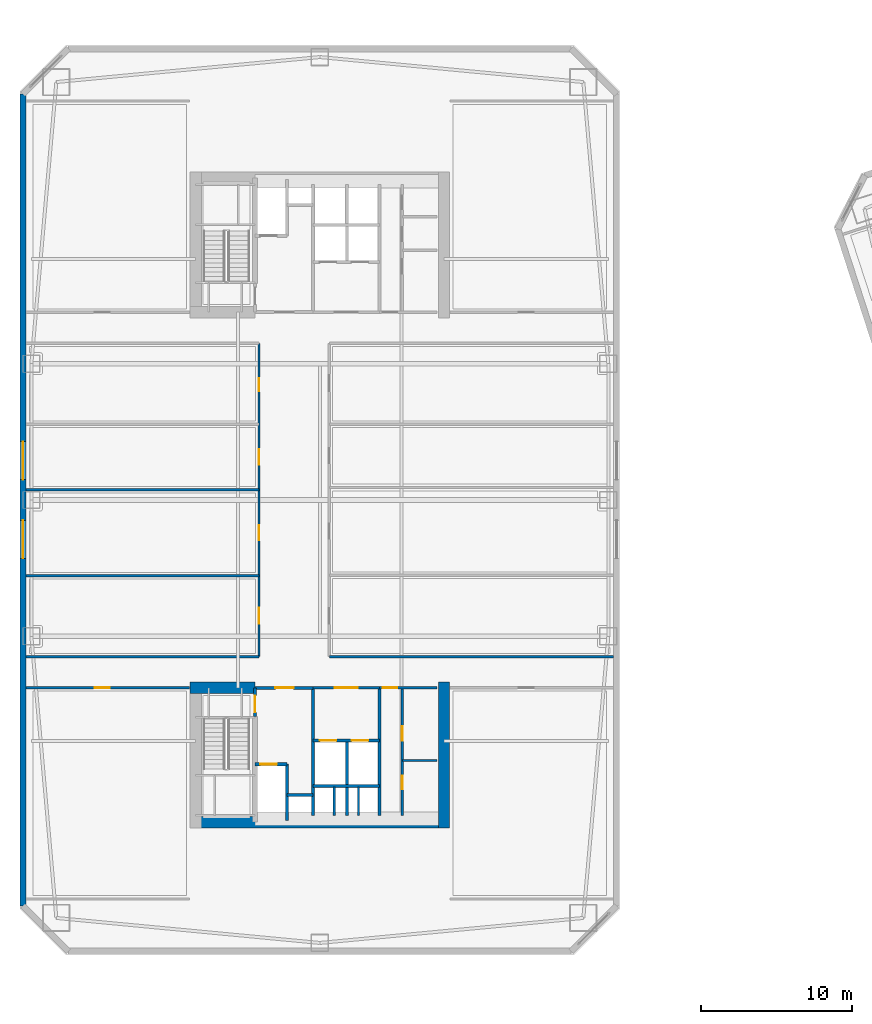
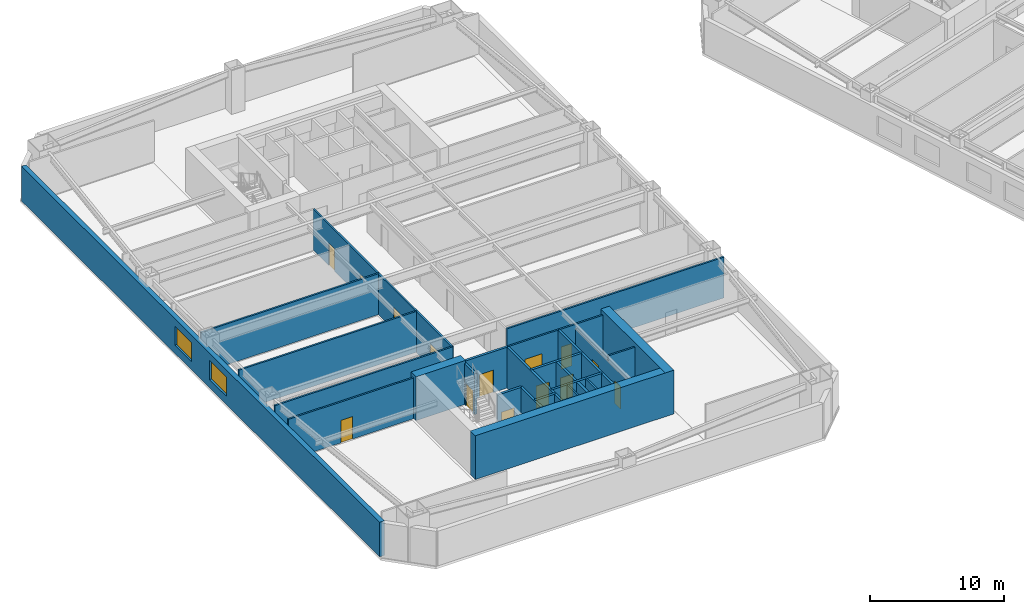
# One storey, part 10 of 24: 26 walls, 14 doors, 2 windows, 16 openings.
"""IFC4 building model written with IfcOpenShell, lengths in metres."""

from ifc_helpers import new_model, si_unit, direction, frame, frame_2d, origin, place, context, subcontext, project, spatial, rectangle, extrude, material, layer, layer_set, type_object, element, fill, save


model = new_model("IFC4")

# Units and contexts
model_context = context("Model", 3, precision=1e-05, world=origin(), true_north=direction((0.0, 1.0)))
body_context = subcontext(model_context, "Body", "Model", "MODEL_VIEW")
ifc_project = project(units=[si_unit("LENGTHUNIT", "METRE"), si_unit("AREAUNIT", "SQUARE_METRE"), si_unit("VOLUMEUNIT", "CUBIC_METRE"), si_unit("PLANEANGLEUNIT", "RADIAN"), si_unit("MASSUNIT", "GRAM", prefix="KILO")], contexts=[model_context])

# Site, building, storey
site_placement = place(None, origin())
site = spatial("IfcSite", under=ifc_project, at=site_placement, CompositionType="ELEMENT")
building_placement = place(site_placement, origin())
building = spatial("IfcBuilding", under=site, at=building_placement, Name="Qiaolan Cultural Towers", CompositionType="ELEMENT")
storey_placement = place(building_placement, frame((0.0, 0.0, 30.0)))
storey = spatial("IfcBuildingStorey", under=building, at=storey_placement, Name="L06", CompositionType="ELEMENT", Elevation=30.0)

# Walls
ifc_material_1 = material(Name="Concrete C60", Category="concrete")
ifc_layer_1 = layer(ifc_material_1, 0.75)
ifc_layer_set_1 = layer_set([ifc_layer_1], Name="Concrete C60")
wall_type_1 = type_object("IfcWallType", Name="WL-CORE-750", PredefinedType="SHEAR", material=ifc_layer_set_1)
wall_1_placement = place(storey_placement, frame((21.425048828125, 12.719970703125, 0.0), z_axis=(0.0, 0.0, 1.0), x_axis=(1.0, 0.0, 0.0)))
element("IfcWall", 1, at=wall_1_placement, inside=storey, type_object=wall_type_1, Name="L06 T1-CS Outer Core Shear Wall", PredefinedType="SHEAR", context=body_context, shape_type="SweptSolid", body=[
    extrude(rectangle(XDim=17.14990234375, YDim=0.75, at=frame_2d((8.574951171875, 0.0))), origin(), (0.0, 0.0, 1.0), 4.0),
])
wall_2_placement = place(storey_placement, frame((38.199951171875, 21.97509765625, 0.0), z_axis=(0.0, 0.0, 1.0), x_axis=(0.0, -1.0, 0.0)))
element("IfcWall", 2, at=wall_2_placement, inside=storey, type_object=wall_type_1, Name="L06 T1-CS East Core Shear Wall", PredefinedType="SHEAR", context=body_context, shape_type="SweptSolid", body=[
    extrude(rectangle(XDim=9.630126953125, YDim=0.75, at=frame_2d((4.81494140625, 0.0))), origin(), (0.0, 0.0, 1.0), 4.0),
])
wall_3_placement = place(storey_placement, frame((21.425048828125, 21.60009765625, 0.0), z_axis=(0.0, 0.0, 1.0), x_axis=(1.0, 0.0, 0.0)))
element("IfcWall", 3, at=wall_3_placement, inside=storey, type_object=wall_type_1, Name="L06 T1-CS Stair Front Shear Wall", PredefinedType="SHEAR", context=body_context, shape_type="SweptSolid", body=[
    extrude(rectangle(XDim=4.294921875, YDim=0.75, at=frame_2d((2.1474609375, 0.0))), origin(), (0.0, 0.0, 1.0), 4.0),
])

# Wall, openings, windows
ifc_material_2 = material(Name="Precast Concrete C50 Honed Stone Pier", Category="masonry")
ifc_layer_2 = layer(ifc_material_2, 0.39990234375)
ifc_layer_set_2 = layer_set([ifc_layer_2], Name="Precast Concrete C50 Honed Stone Pier")
wall_type_2 = type_object("IfcWallType", Name="WL-EXT-PIER-400", PredefinedType="SOLIDWALL", material=ifc_layer_set_2)
wall_4_placement = place(storey_placement, frame((10.39990234375, 7.199951171875, 0.0), z_axis=(0.0, 0.0, 1.0), x_axis=(0.0, 1.0, 0.0)))
wall_4 = element("IfcWall", 4, at=wall_4_placement, inside=storey, type_object=wall_type_2, Name="L06 West Tower Precast Pier Facade Wall F1", PredefinedType="SOLIDWALL", context=body_context, shape_type="SweptSolid", body=[
    extrude(rectangle(XDim=53.60009765625, YDim=0.39990234375, at=frame_2d((26.800048828125, 0.0))), origin(), (0.0, 0.0, 1.0), 3.159912109375),
])
opening_1_placement = place(wall_4_placement, frame((22.949951171875, 0.0, 0.75)))
opening_1 = element("IfcOpeningElement", 5, at=opening_1_placement, cuts=wall_4, Name="Opening W-01", PredefinedType="OPENING", context=body_context, shape_type="SweptSolid", body=[
    extrude(rectangle(XDim=2.5, YDim=1.75, at=frame_2d((1.25, 0.875))), frame((0.0, 0.2099609375, 0.0), z_axis=(0.0, -1.0, 0.0), x_axis=(1.0, 0.0, 0.0)), (0.0, 0.0, 1.0), 0.419921875),
])
opening_2_placement = place(wall_4_placement, frame((28.14990234375, 0.0, 0.75)))
opening_2 = element("IfcOpeningElement", 6, at=opening_2_placement, cuts=wall_4, Name="Opening W-01", PredefinedType="OPENING", context=body_context, shape_type="SweptSolid", body=[
    extrude(rectangle(XDim=2.5, YDim=1.75, at=frame_2d((1.25, 0.875))), frame((0.0, 0.2099609375, 0.0), z_axis=(0.0, -1.0, 0.0), x_axis=(1.0, 0.0, 0.0)), (0.0, 0.0, 1.0), 0.419921875),
])
ifc_material_3 = material(Name="Thermally Broken Aluminium Triple Low-E Glazing", Category="aluminium")
window_type = type_object("IfcWindowType", Name="WN-CHIC-2500", PartitioningType="SINGLE_PANEL", PredefinedType="WINDOW", material=ifc_material_3)
window_1_placement = place(opening_1_placement, origin())
window_1 = element("IfcWindow", 7, at=window_1_placement, inside=storey, type_object=window_type, Name="L06 T1 W Chicago Bay Window 1", OverallHeight=1.75, OverallWidth=2.5, PartitioningType="TRIPLE_PANEL_VERTICAL", PredefinedType="WINDOW", context=body_context, shape_type="SweptSolid", body=[
    extrude(rectangle(XDim=2.5, YDim=1.75, at=frame_2d((1.25, 0.875))), frame((0.0, 0.030029296875, 0.0), z_axis=(0.0, -1.0, 0.0), x_axis=(1.0, 0.0, 0.0)), (0.0, 0.0, 1.0), 0.06005859375),
])
fill(opening_1, window_1)
window_2_placement = place(opening_2_placement, origin())
window_2 = element("IfcWindow", 8, at=window_2_placement, inside=storey, type_object=window_type, Name="L06 T1 W Chicago Bay Window 2", OverallHeight=1.75, OverallWidth=2.5, PartitioningType="TRIPLE_PANEL_VERTICAL", PredefinedType="WINDOW", context=body_context, shape_type="SweptSolid", body=[
    extrude(rectangle(XDim=2.5, YDim=1.75, at=frame_2d((1.25, 0.875))), frame((0.0, 0.030029296875, 0.0), z_axis=(0.0, -1.0, 0.0), x_axis=(1.0, 0.0, 0.0)), (0.0, 0.0, 1.0), 0.06005859375),
])
fill(opening_2, window_2)

# Wall, opening, door
ifc_material_4 = material(Name="Concrete C35 Fire Wall", Category="concrete")
ifc_layer_3 = layer(ifc_material_4, 0.199951171875)
ifc_layer_set_3 = layer_set([ifc_layer_3], Name="Concrete C35 Fire Wall")
wall_type_3 = type_object("IfcWallType", Name="WL-FIRE-200", PredefinedType="PARTITIONING", material=ifc_layer_set_3)
wall_5_placement = place(storey_placement, frame((25.719970703125, 21.60009765625, 0.0), z_axis=(0.0, 0.0, 1.0), x_axis=(0.0, -1.0, 0.0)))
wall_5 = element("IfcWall", 9, at=wall_5_placement, inside=storey, type_object=wall_type_3, Name="L06 T1-CS Smokeproof Stair Entry Wall", PredefinedType="PARTITIONING", context=body_context, shape_type="SweptSolid", body=[
    extrude(rectangle(XDim=1.900146484375, YDim=0.199951171875, at=frame_2d((0.9501953125, 0.0))), origin(), (0.0, 0.0, 1.0), 3.72509765625),
])
opening_3_placement = place(wall_5_placement, frame((0.52001953125, 0.0, 0.0)))
opening_3 = element("IfcOpeningElement", 10, at=opening_3_placement, cuts=wall_5, Name="Opening FD-04", PredefinedType="OPENING", context=body_context, shape_type="SweptSolid", body=[
    extrude(rectangle(XDim=1.10009765625, YDim=2.050048828125, at=frame_2d((0.550048828125, 1.02490234375))), frame((0.0, 0.10986328125, 0.0), z_axis=(0.0, -1.0, 0.0), x_axis=(1.0, 0.0, 0.0)), (0.0, 0.0, 1.0), 0.219970703125),
])
ifc_material_5 = material(Name="Galvanized Steel Command Fire Door", Category="steel")
door_type_1 = type_object("IfcDoorType", Name="DR-FD90-1100", OperationType="NOTDEFINED", PredefinedType="DOOR", material=ifc_material_5)
door_1_placement = place(opening_3_placement, origin())
door_1 = element("IfcDoor", 11, at=door_1_placement, inside=storey, type_object=door_type_1, Name="L06 ST-W1 Smokeproof Stair Fire Door", OperationType="SINGLE_SWING_LEFT", OverallHeight=2.050048828125, OverallWidth=1.10009765625, PredefinedType="DOOR", context=body_context, shape_type="SweptSolid", body=[
    extrude(rectangle(XDim=1.10009765625, YDim=2.050048828125, at=frame_2d((0.550048828125, 1.02490234375))), frame((0.0, 0.02490234375, 0.0), z_axis=(0.0, -1.0, 0.0), x_axis=(1.0, 0.0, 0.0)), (0.0, 0.0, 1.0), 0.050048828125),
])
fill(opening_3, door_1)

# Wall
wall_6_placement = place(storey_placement, frame((29.550048828125, 21.60009765625, 0.0), z_axis=(0.0, 0.0, 1.0), x_axis=(0.0, -1.0, 0.0)))
element("IfcWall", 12, at=wall_6_placement, inside=storey, type_object=wall_type_3, Name="L06 T1-CS Firefighting Zone Wall", PredefinedType="PARTITIONING", context=body_context, shape_type="SweptSolid", body=[
    extrude(rectangle(XDim=8.43017578125, YDim=0.199951171875, at=frame_2d((4.215087890625, 0.0))), origin(), (0.0, 0.0, 1.0), 3.72509765625),
])

# Wall, opening, door
wall_7_placement = place(storey_placement, frame((25.719970703125, 21.60009765625, 0.0), z_axis=(0.0, 0.0, 1.0), x_axis=(1.0, 0.0, 0.0)))
wall_7 = element("IfcWall", 13, at=wall_7_placement, inside=storey, type_object=wall_type_3, Name="L06 T1-CS Firefighting Lobby Front Wall", PredefinedType="PARTITIONING", context=body_context, shape_type="SweptSolid", body=[
    extrude(rectangle(XDim=3.830078125, YDim=0.199951171875, at=frame_2d((1.9150390625, 0.0))), origin(), (0.0, 0.0, 1.0), 3.72509765625),
])
opening_4_placement = place(wall_7_placement, frame((1.35009765625, 0.0, 0.0)))
opening_4 = element("IfcOpeningElement", 14, at=opening_4_placement, cuts=wall_7, Name="Opening FD-03", PredefinedType="OPENING", context=body_context, shape_type="SweptSolid", body=[
    extrude(rectangle(XDim=1.199951171875, YDim=2.050048828125, at=frame_2d((0.60009765625, 1.02490234375))), frame((0.0, 0.10986328125, 0.0), z_axis=(0.0, -1.0, 0.0), x_axis=(1.0, 0.0, 0.0)), (0.0, 0.0, 1.0), 0.219970703125),
])
ifc_material_6 = material(Name="Galvanized Steel Smokeproof Lobby Fire Door", Category="steel")
door_type_2 = type_object("IfcDoorType", Name="DR-FD90-1200", OperationType="NOTDEFINED", PredefinedType="DOOR", material=ifc_material_6)
door_2_placement = place(opening_4_placement, origin())
door_2 = element("IfcDoor", 15, at=door_2_placement, inside=storey, type_object=door_type_2, Name="L06 FFL-W1 Firefighting Lobby Fire Door", OperationType="SINGLE_SWING_LEFT", OverallHeight=2.050048828125, OverallWidth=1.199951171875, PredefinedType="DOOR", context=body_context, shape_type="SweptSolid", body=[
    extrude(rectangle(XDim=1.199951171875, YDim=2.050048828125, at=frame_2d((0.60009765625, 1.02490234375))), frame((0.0, 0.02490234375, 0.0), z_axis=(0.0, -1.0, 0.0), x_axis=(1.0, 0.0, 0.0)), (0.0, 0.0, 1.0), 0.050048828125),
])
fill(opening_4, door_2)

wall_8_placement = place(storey_placement, frame((25.719970703125, 16.550048828125, 0.0), z_axis=(0.0, 0.0, 1.0), x_axis=(1.0, 0.0, 0.0)))
wall_8 = element("IfcWall", 16, at=wall_8_placement, inside=storey, type_object=wall_type_3, Name="L06 T1-CS Firefighting Shaft Front Wall", PredefinedType="PARTITIONING", context=body_context, shape_type="SweptSolid", body=[
    extrude(rectangle(XDim=2.10009765625, YDim=0.199951171875, at=frame_2d((1.050048828125, 0.0))), origin(), (0.0, 0.0, 1.0), 3.72509765625),
])
opening_5_placement = place(wall_8_placement, frame((0.35009765625, 0.0, 0.0)))
opening_5 = element("IfcOpeningElement", 17, at=opening_5_placement, cuts=wall_8, Name="Opening LD-01", PredefinedType="OPENING", context=body_context, shape_type="SweptSolid", body=[
    extrude(rectangle(XDim=1.10009765625, YDim=2.050048828125, at=frame_2d((0.550048828125, 1.02490234375))), frame((0.0, 0.10986328125, 0.0), z_axis=(0.0, -1.0, 0.0), x_axis=(1.0, 0.0, 0.0)), (0.0, 0.0, 1.0), 0.219970703125),
])
ifc_material_7 = material(Name="Brushed Stainless Steel S30408 Centre-Parting Lift Landing Door", Category="steel")
door_type_3 = type_object("IfcDoorType", Name="DR-LIFT-1100", OperationType="NOTDEFINED", PredefinedType="DOOR", material=ifc_material_7)
door_3_placement = place(opening_5_placement, origin())
door_3 = element("IfcDoor", 18, at=door_3_placement, inside=storey, type_object=door_type_3, Name="L06 FFL-W1 Firefighting Lift Landing Door", OperationType="DOUBLE_DOOR_SLIDING", OverallHeight=2.050048828125, OverallWidth=1.10009765625, PredefinedType="DOOR", context=body_context, shape_type="SweptSolid", body=[
    extrude(rectangle(XDim=1.10009765625, YDim=2.050048828125, at=frame_2d((0.550048828125, 1.02490234375))), frame((0.0, 0.02490234375, 0.0), z_axis=(0.0, -1.0, 0.0), x_axis=(1.0, 0.0, 0.0)), (0.0, 0.0, 1.0), 0.050048828125),
])
fill(opening_5, door_3)

# Walls
wall_9_placement = place(storey_placement, frame((27.820068359375, 16.550048828125, 0.0), z_axis=(0.0, 0.0, 1.0), x_axis=(0.0, -1.0, 0.0)))
element("IfcWall", 19, at=wall_9_placement, inside=storey, type_object=wall_type_3, Name="L06 T1-CS Firefighting Hoistway East Wall", PredefinedType="PARTITIONING", context=body_context, shape_type="SweptSolid", body=[
    extrude(rectangle(XDim=3.699951171875, YDim=0.199951171875, at=frame_2d((1.85009765625, 0.0))), origin(), (0.0, 0.0, 1.0), 3.72509765625),
])
wall_10_placement = place(storey_placement, frame((27.820068359375, 14.52001953125, 0.0), z_axis=(0.0, 0.0, 1.0), x_axis=(1.0, 0.0, 0.0)))
element("IfcWall", 20, at=wall_10_placement, inside=storey, type_object=wall_type_3, Name="L06 T1-CS Pressurization Shaft Front Wall", PredefinedType="PARTITIONING", context=body_context, shape_type="SweptSolid", body=[
    extrude(rectangle(XDim=1.72998046875, YDim=0.199951171875, at=frame_2d((0.864990234375, 0.0))), origin(), (0.0, 0.0, 1.0), 3.72509765625),
])
wall_11_placement = place(storey_placement, frame((33.949951171875, 21.60009765625, 0.0), z_axis=(0.0, 0.0, 1.0), x_axis=(0.0, -1.0, 0.0)))
element("IfcWall", 21, at=wall_11_placement, inside=storey, type_object=wall_type_3, Name="L06 T1-CS Lift Core East Wall", PredefinedType="PARTITIONING", context=body_context, shape_type="SweptSolid", body=[
    extrude(rectangle(XDim=8.43017578125, YDim=0.199951171875, at=frame_2d((4.215087890625, 0.0))), origin(), (0.0, 0.0, 1.0), 3.72509765625),
])

# Wall, openings, doors
wall_12_placement = place(storey_placement, frame((29.550048828125, 18.1201171875, 0.0), z_axis=(0.0, 0.0, 1.0), x_axis=(1.0, 0.0, 0.0)))
wall_12 = element("IfcWall", 22, at=wall_12_placement, inside=storey, type_object=wall_type_3, Name="L06 T1-CS Passenger Lift Shaft Front Wall", PredefinedType="PARTITIONING", context=body_context, shape_type="SweptSolid", body=[
    extrude(rectangle(XDim=4.39990234375, YDim=0.199951171875, at=frame_2d((2.199951171875, 0.0))), origin(), (0.0, 0.0, 1.0), 3.72509765625),
])
opening_6_placement = place(wall_12_placement, frame((0.449951171875, 0.0, 0.0)))
opening_6 = element("IfcOpeningElement", 23, at=opening_6_placement, cuts=wall_12, Name="Opening LD-01", PredefinedType="OPENING", context=body_context, shape_type="SweptSolid", body=[
    extrude(rectangle(XDim=1.10009765625, YDim=2.050048828125, at=frame_2d((0.550048828125, 1.02490234375))), frame((0.0, 0.10986328125, 0.0), z_axis=(0.0, -1.0, 0.0), x_axis=(1.0, 0.0, 0.0)), (0.0, 0.0, 1.0), 0.219970703125),
])
opening_7_placement = place(wall_12_placement, frame((2.550048828125, 0.0, 0.0)))
opening_7 = element("IfcOpeningElement", 24, at=opening_7_placement, cuts=wall_12, Name="Opening LD-01", PredefinedType="OPENING", context=body_context, shape_type="SweptSolid", body=[
    extrude(rectangle(XDim=1.10009765625, YDim=2.050048828125, at=frame_2d((0.550048828125, 1.02490234375))), frame((0.0, 0.10986328125, 0.0), z_axis=(0.0, -1.0, 0.0), x_axis=(1.0, 0.0, 0.0)), (0.0, 0.0, 1.0), 0.219970703125),
])
door_4_placement = place(opening_6_placement, origin())
door_4 = element("IfcDoor", 25, at=door_4_placement, inside=storey, type_object=door_type_3, Name="L06 Passenger Lift 1 Landing Door", OperationType="DOUBLE_DOOR_SLIDING", OverallHeight=2.050048828125, OverallWidth=1.10009765625, PredefinedType="DOOR", context=body_context, shape_type="SweptSolid", body=[
    extrude(rectangle(XDim=1.10009765625, YDim=2.050048828125, at=frame_2d((0.550048828125, 1.02490234375))), frame((0.0, 0.02490234375, 0.0), z_axis=(0.0, -1.0, 0.0), x_axis=(1.0, 0.0, 0.0)), (0.0, 0.0, 1.0), 0.050048828125),
])
fill(opening_6, door_4)
door_5_placement = place(opening_7_placement, origin())
door_5 = element("IfcDoor", 26, at=door_5_placement, inside=storey, type_object=door_type_3, Name="L06 Passenger Lift 2 Landing Door", OperationType="DOUBLE_DOOR_SLIDING", OverallHeight=2.050048828125, OverallWidth=1.10009765625, PredefinedType="DOOR", context=body_context, shape_type="SweptSolid", body=[
    extrude(rectangle(XDim=1.10009765625, YDim=2.050048828125, at=frame_2d((0.550048828125, 1.02490234375))), frame((0.0, 0.02490234375, 0.0), z_axis=(0.0, -1.0, 0.0), x_axis=(1.0, 0.0, 0.0)), (0.0, 0.0, 1.0), 0.050048828125),
])
fill(opening_7, door_5)

# Walls
wall_13_placement = place(storey_placement, frame((31.780029296875, 18.1201171875, 0.0), z_axis=(0.0, 0.0, 1.0), x_axis=(0.0, -1.0, 0.0)))
element("IfcWall", 27, at=wall_13_placement, inside=storey, type_object=wall_type_3, Name="L06 T1-CS Lift Shaft Divider Wall", PredefinedType="PARTITIONING", context=body_context, shape_type="SweptSolid", body=[
    extrude(rectangle(XDim=4.9501953125, YDim=0.199951171875, at=frame_2d((2.47509765625, 0.0))), origin(), (0.0, 0.0, 1.0), 3.72509765625),
])
wall_14_placement = place(storey_placement, frame((29.550048828125, 15.10009765625, 0.0), z_axis=(0.0, 0.0, 1.0), x_axis=(1.0, 0.0, 0.0)))
element("IfcWall", 28, at=wall_14_placement, inside=storey, type_object=wall_type_3, Name="L06 T1-CS Passenger Lift Shaft Back Wall", PredefinedType="PARTITIONING", context=body_context, shape_type="SweptSolid", body=[
    extrude(rectangle(XDim=4.39990234375, YDim=0.199951171875, at=frame_2d((2.199951171875, 0.0))), origin(), (0.0, 0.0, 1.0), 3.72509765625),
])

# Wall, opening, door
ifc_material_8 = material(Name="Autoclaved Aerated Concrete Block B06", Category="concrete")
ifc_layer_4 = layer(ifc_material_8, 0.14990234375)
ifc_layer_set_4 = layer_set([ifc_layer_4], Name="Autoclaved Aerated Concrete Block B06")
wall_type_4 = type_object("IfcWallType", Name="WL-PART-150", PredefinedType="PARTITIONING", material=ifc_layer_set_4)
wall_15_placement = place(storey_placement, frame((29.550048828125, 21.60009765625, 0.0), z_axis=(0.0, 0.0, 1.0), x_axis=(1.0, 0.0, 0.0)))
wall_15 = element("IfcWall", 29, at=wall_15_placement, inside=storey, type_object=wall_type_4, Name="L06 T1-CS Passenger Lift Lobby Front Wall", PredefinedType="PARTITIONING", context=body_context, shape_type="SweptSolid", body=[
    extrude(rectangle(XDim=4.39990234375, YDim=0.14990234375, at=frame_2d((2.199951171875, 0.0))), origin(), (0.0, 0.0, 1.0), 3.72509765625),
])
opening_8_placement = place(wall_15_placement, frame((1.449951171875, 0.0, 0.0)))
opening_8 = element("IfcOpeningElement", 30, at=opening_8_placement, cuts=wall_15, Name="Opening FD-05", PredefinedType="OPENING", context=body_context, shape_type="SweptSolid", body=[
    extrude(rectangle(XDim=1.5, YDim=2.050048828125, at=frame_2d((0.75, 1.02490234375))), frame((0.0, 0.0849609375, 0.0), z_axis=(0.0, -1.0, 0.0), x_axis=(1.0, 0.0, 0.0)), (0.0, 0.0, 1.0), 0.169921875),
])
ifc_material_9 = material(Name="Painted Steel Lift Lobby Fire Door", Category="steel")
door_type_4 = type_object("IfcDoorType", Name="DR-FD60-1500", OperationType="NOTDEFINED", PredefinedType="DOOR", material=ifc_material_9)
door_6_placement = place(opening_8_placement, origin())
door_6 = element("IfcDoor", 31, at=door_6_placement, inside=storey, type_object=door_type_4, Name="L06 Passenger Lift Lobby Entrance", OperationType="SINGLE_SWING_LEFT", OverallHeight=2.050048828125, OverallWidth=1.5, PredefinedType="DOOR", context=body_context, shape_type="SweptSolid", body=[
    extrude(rectangle(XDim=1.5, YDim=2.050048828125, at=frame_2d((0.75, 1.02490234375))), frame((0.0, 0.02490234375, 0.0), z_axis=(0.0, -1.0, 0.0), x_axis=(1.0, 0.0, 0.0)), (0.0, 0.0, 1.0), 0.050048828125),
])
fill(opening_8, door_6)

# Walls
for number, where, z_axis, x_axis, name in (
    (32, (30.949951171875, 15.050048828125, 0.0), (0.0, 0.0, 1.0), (0.0, -1.0, 0.0), "L06 T1-CS Core Rear Split 1"),
    (33, (32.550048828125, 15.050048828125, 0.0), (0.0, 0.0, 1.0), (0.0, -1.0, 0.0), "L06 T1-CS Core Rear Split 2"),
):
    element("IfcWall", number, at=place(storey_placement, frame(where, z_axis=z_axis, x_axis=x_axis)), inside=storey, type_object=wall_type_4, Name=name, PredefinedType="PARTITIONING", context=body_context, shape_type="SweptSolid", body=[
        extrude(rectangle(XDim=1.880126953125, YDim=0.14990234375, at=frame_2d((0.93994140625, 0.0))), origin(), (0.0, 0.0, 1.0), 3.72509765625),
    ])

# Wall, opening, door
wall_16_placement = place(storey_placement, frame((33.949951171875, 21.60009765625, 0.0), z_axis=(0.0, 0.0, 1.0), x_axis=(1.0, 0.0, 0.0)))
wall_16 = element("IfcWall", 34, at=wall_16_placement, inside=storey, type_object=wall_type_4, Name="L06 T1-CS Sanitary Core Front Wall", PredefinedType="PARTITIONING", context=body_context, shape_type="SweptSolid", body=[
    extrude(rectangle(XDim=3.800048828125, YDim=0.14990234375, at=frame_2d((1.89990234375, 0.0))), origin(), (0.0, 0.0, 1.0), 3.72509765625),
])
opening_9_placement = place(wall_16_placement, frame((0.219970703125, 0.0, 0.0)))
opening_9 = element("IfcOpeningElement", 35, at=opening_9_placement, cuts=wall_16, Name="Opening ID-05", PredefinedType="OPENING", context=body_context, shape_type="SweptSolid", body=[
    extrude(rectangle(XDim=0.949951171875, YDim=2.050048828125, at=frame_2d((0.47509765625, 1.02490234375))), frame((0.0, 0.0849609375, 0.0), z_axis=(0.0, -1.0, 0.0), x_axis=(1.0, 0.0, 0.0)), (0.0, 0.0, 1.0), 0.169921875),
])
ifc_material_10 = material(Name="Fire-Rated Laminate Accessible Core Door", Category="timber")
door_type_5 = type_object("IfcDoorType", Name="DR-INT-950", OperationType="NOTDEFINED", PredefinedType="DOOR", material=ifc_material_10)
door_7_placement = place(opening_9_placement, origin())
door_7 = element("IfcDoor", 36, at=door_7_placement, inside=storey, type_object=door_type_5, Name="L06 Sanitary Lobby Door", OperationType="SINGLE_SWING_LEFT", OverallHeight=2.050048828125, OverallWidth=0.949951171875, PredefinedType="DOOR", context=body_context, shape_type="SweptSolid", body=[
    extrude(rectangle(XDim=0.949951171875, YDim=2.050048828125, at=frame_2d((0.47509765625, 1.02490234375))), frame((0.0, 0.02490234375, 0.0), z_axis=(0.0, -1.0, 0.0), x_axis=(1.0, 0.0, 0.0)), (0.0, 0.0, 1.0), 0.050048828125),
])
fill(opening_9, door_7)

# Wall, openings, doors
wall_17_placement = place(storey_placement, frame((35.449951171875, 21.60009765625, 0.0), z_axis=(0.0, 0.0, 1.0), x_axis=(0.0, -1.0, 0.0)))
wall_17 = element("IfcWall", 37, at=wall_17_placement, inside=storey, type_object=wall_type_4, Name="L06 T1-CS Washroom Split Wall", PredefinedType="PARTITIONING", context=body_context, shape_type="SweptSolid", body=[
    extrude(rectangle(XDim=8.43017578125, YDim=0.14990234375, at=frame_2d((4.215087890625, 0.0))), origin(), (0.0, 0.0, 1.0), 3.31494140625),
])
opening_10_placement = place(wall_17_placement, frame((2.550048828125, 0.0, 0.0)))
opening_10 = element("IfcOpeningElement", 38, at=opening_10_placement, cuts=wall_17, Name="Opening ID-05", PredefinedType="OPENING", context=body_context, shape_type="SweptSolid", body=[
    extrude(rectangle(XDim=0.949951171875, YDim=2.050048828125, at=frame_2d((0.47509765625, 1.02490234375))), frame((0.0, 0.0849609375, 0.0), z_axis=(0.0, -1.0, 0.0), x_axis=(1.0, 0.0, 0.0)), (0.0, 0.0, 1.0), 0.169921875),
])
opening_11_placement = place(wall_17_placement, frame((5.800048828125, 0.0, 0.0)))
opening_11 = element("IfcOpeningElement", 39, at=opening_11_placement, cuts=wall_17, Name="Opening ID-06", PredefinedType="OPENING", context=body_context, shape_type="SweptSolid", body=[
    extrude(rectangle(XDim=0.89990234375, YDim=2.050048828125, at=frame_2d((0.449951171875, 1.02490234375))), frame((0.0, 0.0849609375, 0.0), z_axis=(0.0, -1.0, 0.0), x_axis=(1.0, 0.0, 0.0)), (0.0, 0.0, 1.0), 0.169921875),
])
ifc_material_11 = material(Name="Fire-Rated Laminate Core Service Door", Category="timber")
door_type_6 = type_object("IfcDoorType", Name="DR-INT-900", OperationType="NOTDEFINED", PredefinedType="DOOR", material=ifc_material_11)
door_8_placement = place(opening_11_placement, origin())
door_8 = element("IfcDoor", 40, at=door_8_placement, inside=storey, type_object=door_type_6, Name="L06 First-Aid Room Door", OperationType="SINGLE_SWING_RIGHT", OverallHeight=2.050048828125, OverallWidth=0.89990234375, PredefinedType="DOOR", context=body_context, shape_type="SweptSolid", body=[
    extrude(rectangle(XDim=0.89990234375, YDim=2.050048828125, at=frame_2d((0.449951171875, 1.02490234375))), frame((0.0, 0.02490234375, 0.0), z_axis=(0.0, -1.0, 0.0), x_axis=(1.0, 0.0, 0.0)), (0.0, 0.0, 1.0), 0.050048828125),
])
fill(opening_11, door_8)
door_9_placement = place(opening_10_placement, origin())
door_9 = element("IfcDoor", 41, at=door_9_placement, inside=storey, type_object=door_type_5, Name="L06 Accessible Washroom Door", OperationType="SINGLE_SWING_LEFT", OverallHeight=2.050048828125, OverallWidth=0.949951171875, PredefinedType="DOOR", context=body_context, shape_type="SweptSolid", body=[
    extrude(rectangle(XDim=0.949951171875, YDim=2.050048828125, at=frame_2d((0.47509765625, 1.02490234375))), frame((0.0, 0.02490234375, 0.0), z_axis=(0.0, -1.0, 0.0), x_axis=(1.0, 0.0, 0.0)), (0.0, 0.0, 1.0), 0.050048828125),
])
fill(opening_10, door_9)

# Wall
wall_18_placement = place(storey_placement, frame((35.449951171875, 16.800048828125, 0.0), z_axis=(0.0, 0.0, 1.0), x_axis=(1.0, 0.0, 0.0)))
element("IfcWall", 42, at=wall_18_placement, inside=storey, type_object=wall_type_4, Name="L06 T1-CS First-Aid Wall", PredefinedType="PARTITIONING", context=body_context, shape_type="SweptSolid", body=[
    extrude(rectangle(XDim=2.300048828125, YDim=0.14990234375, at=frame_2d((1.14990234375, 0.0))), origin(), (0.0, 0.0, 1.0), 3.72509765625),
])

# Wall, opening, door
wall_19_placement = place(storey_placement, frame((10.60009765625, 21.60009765625, 0.0), z_axis=(0.0, 0.0, 1.0), x_axis=(1.0, 0.0, 0.0)))
wall_19 = element("IfcWall", 43, at=wall_19_placement, inside=storey, type_object=wall_type_4, Name="L06 T1 Flank Front FLK-SW", PredefinedType="PARTITIONING", context=body_context, shape_type="SweptSolid", body=[
    extrude(rectangle(XDim=10.7998046875, YDim=0.14990234375, at=frame_2d((5.39990234375, 0.0))), origin(), (0.0, 0.0, 1.0), 3.72509765625),
])
opening_12_placement = place(wall_19_placement, frame((4.535888671875, 0.0, 0.0)))
opening_12 = element("IfcOpeningElement", 44, at=opening_12_placement, cuts=wall_19, Name="Opening ID-04", PredefinedType="OPENING", context=body_context, shape_type="SweptSolid", body=[
    extrude(rectangle(XDim=1.0, YDim=2.050048828125, at=frame_2d((0.5, 1.02490234375))), frame((0.0, 0.0849609375, 0.0), z_axis=(0.0, -1.0, 0.0), x_axis=(1.0, 0.0, 0.0)), (0.0, 0.0, 1.0), 0.169921875),
])
ifc_material_12 = material(Name="Oak Veneer Acoustic Office Door", Category="timber")
door_type_7 = type_object("IfcDoorType", Name="DR-INT-1000", OperationType="NOTDEFINED", PredefinedType="DOOR", material=ifc_material_12)
door_10_placement = place(opening_12_placement, origin())
door_10 = element("IfcDoor", 45, at=door_10_placement, inside=storey, type_object=door_type_7, Name="L06 T1 Corner Studio Door", OperationType="SINGLE_SWING_LEFT", OverallHeight=2.050048828125, OverallWidth=1.0, PredefinedType="DOOR", context=body_context, shape_type="SweptSolid", body=[
    extrude(rectangle(XDim=1.0, YDim=2.050048828125, at=frame_2d((0.5, 1.02490234375))), frame((0.0, 0.02490234375, 0.0), z_axis=(0.0, -1.0, 0.0), x_axis=(1.0, 0.0, 0.0)), (0.0, 0.0, 1.0), 0.050048828125),
])
fill(opening_12, door_10)

# Walls
wall_20_placement = place(storey_placement, frame((10.60009765625, 23.64990234375, 0.0), z_axis=(0.0, 0.0, 1.0), x_axis=(1.0, 0.0, 0.0)))
element("IfcWall", 46, at=wall_20_placement, inside=storey, type_object=wall_type_4, Name="L06 T1 South Corridor Left Wall", PredefinedType="PARTITIONING", context=body_context, shape_type="SweptSolid", body=[
    extrude(rectangle(XDim=15.375, YDim=0.14990234375, at=frame_2d((7.6875, 0.0))), origin(), (0.0, 0.0, 1.0), 3.72509765625),
])
wall_21_placement = place(storey_placement, frame((30.625, 23.64990234375, 0.0), z_axis=(0.0, 0.0, 1.0), x_axis=(1.0, 0.0, 0.0)))
element("IfcWall", 47, at=wall_21_placement, inside=storey, type_object=wall_type_4, Name="L06 T1 South Corridor Right Wall", PredefinedType="PARTITIONING", context=body_context, shape_type="SweptSolid", body=[
    extrude(rectangle(XDim=18.77490234375, YDim=0.14990234375, at=frame_2d((9.387451171875, 0.0))), origin(), (0.0, 0.0, 1.0), 3.72509765625),
])

# Wall, openings, doors
wall_22_placement = place(storey_placement, frame((25.97509765625, 23.64990234375, 0.0), z_axis=(0.0, 0.0, 1.0), x_axis=(0.0, 1.0, 0.0)))
wall_22 = element("IfcWall", 48, at=wall_22_placement, inside=storey, type_object=wall_type_4, Name="L06 T1 West Spine Wall", PredefinedType="PARTITIONING", context=body_context, shape_type="SweptSolid", body=[
    extrude(rectangle(XDim=20.7001953125, YDim=0.14990234375, at=frame_2d((10.35009765625, 0.0))), origin(), (0.0, 0.0, 1.0), 3.72509765625),
])
opening_13_placement = place(wall_22_placement, frame((2.175048828125, 0.0, 0.0)))
opening_13 = element("IfcOpeningElement", 49, at=opening_13_placement, cuts=wall_22, Name="Opening ID-07", PredefinedType="OPENING", context=body_context, shape_type="SweptSolid", body=[
    extrude(rectangle(XDim=1.050048828125, YDim=2.050048828125, at=frame_2d((0.52490234375, 1.02490234375))), frame((0.0, 0.0849609375, 0.0), z_axis=(0.0, -1.0, 0.0), x_axis=(1.0, 0.0, 0.0)), (0.0, 0.0, 1.0), 0.169921875),
])
opening_14_placement = place(wall_22_placement, frame((7.68994140625, 0.0, 0.0)))
opening_14 = element("IfcOpeningElement", 50, at=opening_14_placement, cuts=wall_22, Name="Opening ID-04", PredefinedType="OPENING", context=body_context, shape_type="SweptSolid", body=[
    extrude(rectangle(XDim=1.0, YDim=2.050048828125, at=frame_2d((0.5, 1.02490234375))), frame((0.0, 0.0849609375, 0.0), z_axis=(0.0, -1.0, 0.0), x_axis=(1.0, 0.0, 0.0)), (0.0, 0.0, 1.0), 0.169921875),
])
opening_15_placement = place(wall_22_placement, frame((12.68994140625, 0.0, 0.0)))
opening_15 = element("IfcOpeningElement", 51, at=opening_15_placement, cuts=wall_22, Name="Opening ID-04", PredefinedType="OPENING", context=body_context, shape_type="SweptSolid", body=[
    extrude(rectangle(XDim=1.0, YDim=2.050048828125, at=frame_2d((0.5, 1.02490234375))), frame((0.0, 0.0849609375, 0.0), z_axis=(0.0, -1.0, 0.0), x_axis=(1.0, 0.0, 0.0)), (0.0, 0.0, 1.0), 0.169921875),
])
opening_16_placement = place(wall_22_placement, frame((17.52490234375, 0.0, 0.0)))
opening_16 = element("IfcOpeningElement", 52, at=opening_16_placement, cuts=wall_22, Name="Opening ID-09", PredefinedType="OPENING", context=body_context, shape_type="SweptSolid", body=[
    extrude(rectangle(XDim=0.85009765625, YDim=2.050048828125, at=frame_2d((0.425048828125, 1.02490234375))), frame((0.0, 0.0849609375, 0.0), z_axis=(0.0, -1.0, 0.0), x_axis=(1.0, 0.0, 0.0)), (0.0, 0.0, 1.0), 0.169921875),
])
door_11_placement = place(opening_14_placement, origin())
door_11 = element("IfcDoor", 53, at=door_11_placement, inside=storey, type_object=door_type_7, Name="L06 T1 Curatorial Office Door", OperationType="SINGLE_SWING_RIGHT", OverallHeight=2.050048828125, OverallWidth=1.0, PredefinedType="DOOR", context=body_context, shape_type="SweptSolid", body=[
    extrude(rectangle(XDim=1.0, YDim=2.050048828125, at=frame_2d((0.5, 1.02490234375))), frame((0.0, 0.02490234375, 0.0), z_axis=(0.0, -1.0, 0.0), x_axis=(1.0, 0.0, 0.0)), (0.0, 0.0, 1.0), 0.050048828125),
])
fill(opening_14, door_11)
door_12_placement = place(opening_15_placement, origin())
door_12 = element("IfcDoor", 54, at=door_12_placement, inside=storey, type_object=door_type_7, Name="L06 T1 Conservation Studio Door", OperationType="SINGLE_SWING_LEFT", OverallHeight=2.050048828125, OverallWidth=1.0, PredefinedType="DOOR", context=body_context, shape_type="SweptSolid", body=[
    extrude(rectangle(XDim=1.0, YDim=2.050048828125, at=frame_2d((0.5, 1.02490234375))), frame((0.0, 0.02490234375, 0.0), z_axis=(0.0, -1.0, 0.0), x_axis=(1.0, 0.0, 0.0)), (0.0, 0.0, 1.0), 0.050048828125),
])
fill(opening_15, door_12)
ifc_material_13 = material(Name="Oak Veneer Consultation Door", Category="timber")
door_type_8 = type_object("IfcDoorType", Name="DR-INT-1050", OperationType="NOTDEFINED", PredefinedType="DOOR", material=ifc_material_13)
door_13_placement = place(opening_13_placement, origin())
door_13 = element("IfcDoor", 55, at=door_13_placement, inside=storey, type_object=door_type_8, Name="L06 T1 Gallery Exhibition Room Door", OperationType="SINGLE_SWING_LEFT", OverallHeight=2.050048828125, OverallWidth=1.050048828125, PredefinedType="DOOR", context=body_context, shape_type="SweptSolid", body=[
    extrude(rectangle(XDim=1.050048828125, YDim=2.050048828125, at=frame_2d((0.52490234375, 1.02490234375))), frame((0.0, 0.02490234375, 0.0), z_axis=(0.0, -1.0, 0.0), x_axis=(1.0, 0.0, 0.0)), (0.0, 0.0, 1.0), 0.050048828125),
])
fill(opening_13, door_13)
ifc_material_14 = material(Name="Moisture-Resistant Laminate Utility Door", Category="timber")
door_type_9 = type_object("IfcDoorType", Name="DR-INT-850", OperationType="NOTDEFINED", PredefinedType="DOOR", material=ifc_material_14)
door_14_placement = place(opening_16_placement, origin())
door_14 = element("IfcDoor", 56, at=door_14_placement, inside=storey, type_object=door_type_9, Name="L06 T1 Gallery Exhibition Room Door", OperationType="SINGLE_SWING_RIGHT", OverallHeight=2.050048828125, OverallWidth=0.85009765625, PredefinedType="DOOR", context=body_context, shape_type="SweptSolid", body=[
    extrude(rectangle(XDim=0.85009765625, YDim=2.050048828125, at=frame_2d((0.425048828125, 1.02490234375))), frame((0.0, 0.02490234375, 0.0), z_axis=(0.0, -1.0, 0.0), x_axis=(1.0, 0.0, 0.0)), (0.0, 0.0, 1.0), 0.050048828125),
])
fill(opening_16, door_14)

# Walls
for number, where, z_axis, x_axis, name in (
    (57, (10.60009765625, 29.0, 0.0), (0.0, 0.0, 1.0), (1.0, 0.0, 0.0), "L06 T1 West Partition 1"),
    (58, (10.60009765625, 34.679931640625, 0.0), (0.0, 0.0, 1.0), (1.0, 0.0, 0.0), "L06 T1 West Partition 2"),
):
    element("IfcWall", number, at=place(storey_placement, frame(where, z_axis=z_axis, x_axis=x_axis)), inside=storey, type_object=wall_type_4, Name=name, PredefinedType="PARTITIONING", context=body_context, shape_type="SweptSolid", body=[
        extrude(rectangle(XDim=15.375, YDim=0.14990234375, at=frame_2d((7.6875, 0.0))), origin(), (0.0, 0.0, 1.0), 3.72509765625),
    ])

save(model, "model.ifc")
